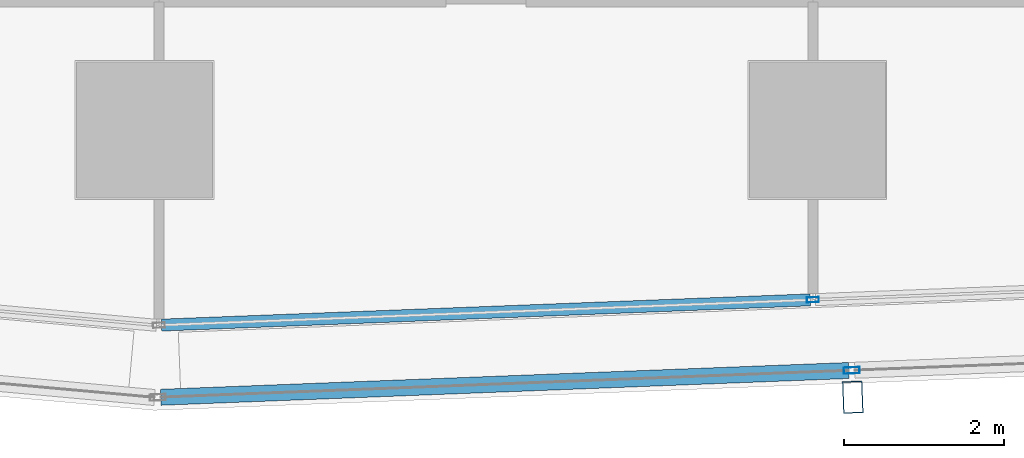
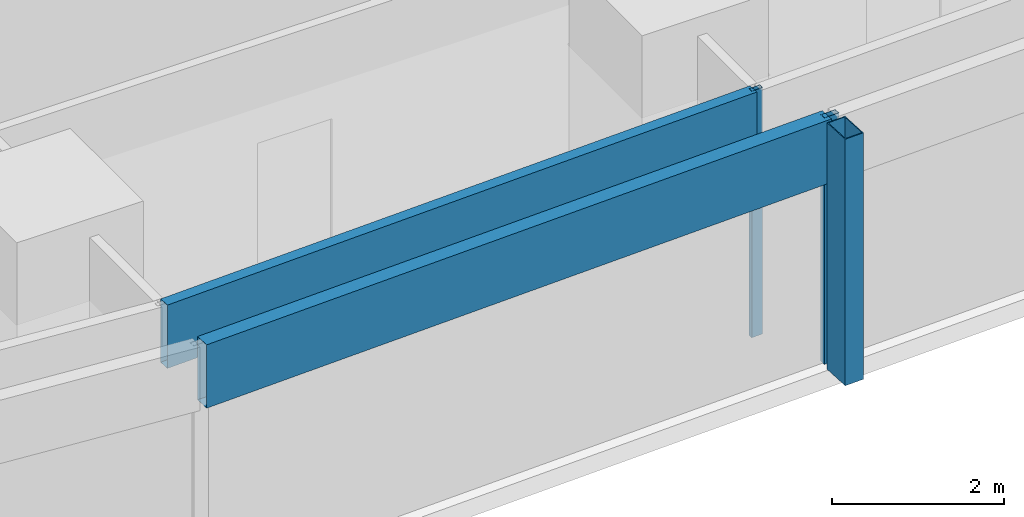
# One storey, part 6 of 40: 5 members, 2 elements without a shape of their own.
"""IFC4 building model written with IfcOpenShell, lengths in metres."""

from ifc_helpers import new_model, si_unit, direction, frame, origin, origin_2d, place, context, subcontext, project, spatial, hollow_rectangle, extrude, material, material_profile, profile_set, type_object, element, aggregate, save


model = new_model("IFC4")

# Units and contexts
model_context = context("Model", 3, precision=1e-05, world=origin(), true_north=direction((0.0, 1.0)))
body_context = subcontext(model_context, "Body", "Model", "MODEL_VIEW")
ifc_project = project(units=[si_unit("LENGTHUNIT", "METRE"), si_unit("AREAUNIT", "SQUARE_METRE"), si_unit("VOLUMEUNIT", "CUBIC_METRE"), si_unit("PLANEANGLEUNIT", "RADIAN"), si_unit("MASSUNIT", "GRAM", prefix="KILO")], contexts=[model_context])

# Site, building, storey
site_placement = place(None, origin())
site = spatial("IfcSite", under=ifc_project, at=site_placement, CompositionType="ELEMENT")
building_placement = place(site_placement, origin())
building = spatial("IfcBuilding", under=site, at=building_placement, Name="Rekha Terrace Tower", CompositionType="ELEMENT")
storey_placement = place(building_placement, frame((0.0, 0.0, 140.300048828125)))
storey = spatial("IfcBuildingStorey", under=building, at=storey_placement, Name="L35", CompositionType="ELEMENT", Elevation=140.300048828125)

# Curtain wall, member
ifc_material_1 = material(Name="Aluminium framing", Category="aluminium")
curtain_wall_type_1 = type_object("IfcCurtainWallType", Name="CW2 double skin outer glazing", PredefinedType="USERDEFINED", material=ifc_material_1)
curtain_wall_1_placement = place(storey_placement, origin())
curtain_wall_1 = element("IfcCurtainWall", 1, at=curtain_wall_1_placement, inside=storey, type_object=curtain_wall_type_1, Name="CW2 double skin outer glazing", ObjectType="DOUBLE SKIN OUTER GLAZING", PredefinedType="USERDEFINED")
ifc_material_2 = material(Name="Steel S355 with fluorocarbon finish", Category="steel")
ifc_material_profile_1 = material_profile(ifc_material_2, hollow_rectangle(XDim=0.25, YDim=0.39990234375, WallThickness=0.012451171875, at=origin_2d()), Name="RHS400x250x12.5")
ifc_profile_set_1 = profile_set([ifc_material_profile_1], Name="Steel S355 with fluorocarbon finish")
member_type_1 = type_object("IfcMemberType", Name="BL1 facade blade RHS 400 x 250", PredefinedType="USERDEFINED", material=ifc_profile_set_1)
member_1_placement = place(storey_placement, frame((34.042236328125, 13.46435546875, 0.0), z_axis=(0.0, 0.0, 1.0), x_axis=(0.999243494356, 0.038890088543, 0.0)))
member_1 = element("IfcMember", 2, at=member_1_placement, type_object=member_type_1, Name="Facade blade", ObjectType="FACADE BLADE", PredefinedType="USERDEFINED", context=body_context, shape_type="SweptSolid", body=[
    extrude(hollow_rectangle(XDim=0.25, YDim=0.39990234375, WallThickness=0.012451171875, at=origin_2d()), origin(), (0.0, 0.0, 1.0), 3.5),
])

# Curtain wall, members
curtain_wall_type_2 = type_object("IfcCurtainWallType", Name="CW1 double skin inner glazing", PredefinedType="USERDEFINED", material=ifc_material_1)
curtain_wall_2_placement = place(storey_placement, origin())
curtain_wall_2 = element("IfcCurtainWall", 3, at=curtain_wall_2_placement, inside=storey, type_object=curtain_wall_type_2, Name="CW1 double skin inner glazing", ObjectType="DOUBLE SKIN INNER GLAZING", PredefinedType="USERDEFINED")
ifc_material_3 = material(Name="Aluminium mullion section", Category="aluminium")
ifc_material_profile_2 = material_profile(ifc_material_3, hollow_rectangle(XDim=0.06494140625, YDim=0.14990234375, WallThickness=0.00390625, at=origin_2d()), Name="AL RHS 65x150")
ifc_profile_set_2 = profile_set([ifc_material_profile_2], Name="Aluminium mullion section")
member_type_2 = type_object("IfcMemberType", Name="CW1 mullion RHS 65 x 150", PredefinedType="MULLION", material=ifc_profile_set_2)
member_2_placement = place(storey_placement, frame((33.5439453125, 14.680908203125, 0.0), z_axis=(0.0, 0.0, 1.0), x_axis=(-0.038889971345, 0.999243498917, 0.0)))
member_2 = element("IfcMember", 4, at=member_2_placement, type_object=member_type_2, Name="CW1 mullion 2", PredefinedType="MULLION", context=body_context, shape_type="SweptSolid", body=[
    extrude(hollow_rectangle(XDim=0.06494140625, YDim=0.14990234375, WallThickness=0.00390625, at=origin_2d()), origin(), (0.0, 0.0, 1.0), 3.5),
])
ifc_material_4 = material(Name="Insulated aluminium spandrel box", Category="aluminium")
ifc_material_profile_3 = material_profile(ifc_material_4, hollow_rectangle(XDim=0.14990234375, YDim=0.89990234375, WallThickness=0.0029296875, at=origin_2d()), Name="AL SPANDREL BOX 150x900")
ifc_profile_set_3 = profile_set([ifc_material_profile_3], Name="Insulated aluminium spandrel box")
member_type_3 = type_object("IfcMemberType", Name="CW1 spandrel transom 150 x 900", PredefinedType="USERDEFINED", material=ifc_profile_set_3)
member_3_placement = place(storey_placement, frame((25.412353515625, 14.364501953125, 3.050048828125), z_axis=(0.999243630757, 0.038886583689, 0.0), x_axis=(-0.038886583689, 0.999243630757, 0.0)))
member_3 = element("IfcMember", 5, at=member_3_placement, type_object=member_type_3, Name="CW1 spandrel transom 1", ObjectType="TRANSOM", PredefinedType="USERDEFINED", context=body_context, shape_type="SweptSolid", body=[
    extrude(hollow_rectangle(XDim=0.14990234375, YDim=0.89990234375, WallThickness=0.0029296875, at=origin_2d()), origin(), (0.0, 0.0, 1.0), 8.105224609375),
])
aggregate(curtain_wall_2, [member_2, member_3])

# Member
ifc_material_profile_4 = material_profile(ifc_material_3, hollow_rectangle(XDim=0.080078125, YDim=0.199951171875, WallThickness=0.00390625, at=origin_2d()), Name="AL RHS 80x200")
ifc_profile_set_4 = profile_set([ifc_material_profile_4], Name="Aluminium mullion section")
member_type_4 = type_object("IfcMemberType", Name="CW2 mullion RHS 80 x 200", PredefinedType="MULLION", material=ifc_profile_set_4)
member_4_placement = place(storey_placement, frame((34.029052734375, 13.799072265625, 0.0), z_axis=(0.0, 0.0, 1.0), x_axis=(-0.038889971345, 0.999243498917, 0.0)))
member_4 = element("IfcMember", 6, at=member_4_placement, type_object=member_type_4, Name="CW2 mullion 2", PredefinedType="MULLION", context=body_context, shape_type="SweptSolid", body=[
    extrude(hollow_rectangle(XDim=0.080078125, YDim=0.199951171875, WallThickness=0.00390625, at=origin_2d()), origin(), (0.0, 0.0, 1.0), 3.5),
])

ifc_material_profile_5 = material_profile(ifc_material_4, hollow_rectangle(XDim=0.199951171875, YDim=0.89990234375, WallThickness=0.0029296875, at=origin_2d()), Name="AL SPANDREL BOX 200x900")
ifc_profile_set_5 = profile_set([ifc_material_profile_5], Name="Insulated aluminium spandrel box")
member_type_5 = type_object("IfcMemberType", Name="CW2 spandrel transom 200 x 900", PredefinedType="USERDEFINED", material=ifc_profile_set_5)
member_5_placement = place(storey_placement, frame((25.404052734375, 13.46337890625, 3.050048828125), z_axis=(0.999243058466, 0.038901286707, 0.0), x_axis=(-0.038901286707, 0.999243058466, 0.0)))
member_5 = element("IfcMember", 7, at=member_5_placement, type_object=member_type_5, Name="CW2 spandrel transom 1", ObjectType="TRANSOM", PredefinedType="USERDEFINED", context=body_context, shape_type="SweptSolid", body=[
    extrude(hollow_rectangle(XDim=0.199951171875, YDim=0.89990234375, WallThickness=0.0029296875, at=origin_2d()), origin(), (0.0, 0.0, 1.0), 8.591796875),
])

aggregate(curtain_wall_1, [member_4, member_5, member_1])

save(model, "model.ifc")
